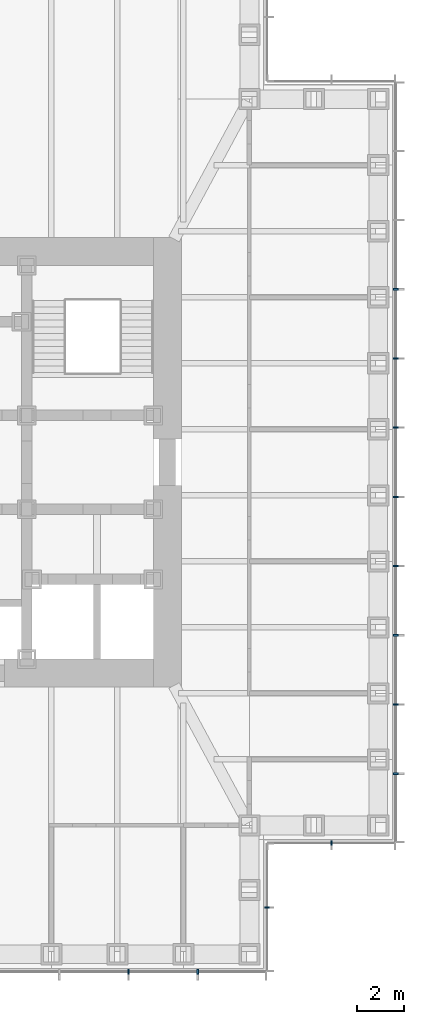
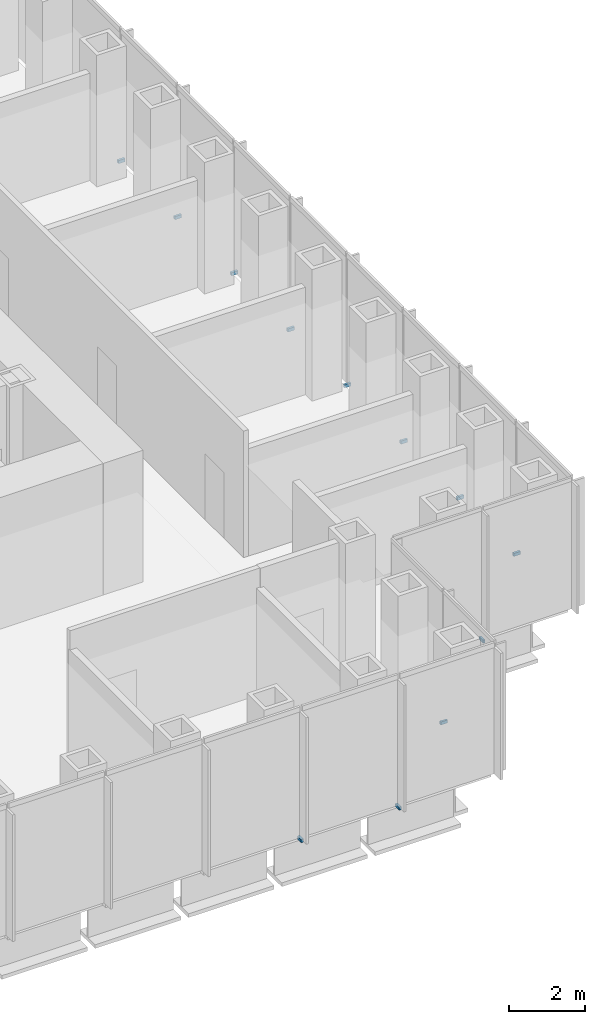
# One storey, part 13 of 16: 12 discrete accessories.
"""IFC4 building model written with IfcOpenShell, lengths in metres."""

from ifc_helpers import new_model, si_unit, direction, frame, origin, origin_2d, place, context, subcontext, project, spatial, rectangle, extrude, element, save


model = new_model("IFC4")

# Units and contexts
model_context = context("Model", 3, precision=1e-05, world=origin(), true_north=direction((0.0, 1.0)))
body_context = subcontext(model_context, "Body", "Model", "MODEL_VIEW")
ifc_project = project(units=[si_unit("LENGTHUNIT", "METRE"), si_unit("AREAUNIT", "SQUARE_METRE"), si_unit("VOLUMEUNIT", "CUBIC_METRE"), si_unit("PLANEANGLEUNIT", "RADIAN"), si_unit("MASSUNIT", "GRAM", prefix="KILO")], contexts=[model_context])

# Site, building, storey
site_placement = place(None, origin())
site = spatial("IfcSite", under=ifc_project, at=site_placement, CompositionType="ELEMENT")
building_placement = place(site_placement, origin())
building = spatial("IfcBuilding", under=site, at=building_placement, Name="Daluyong Arena Tower", CompositionType="ELEMENT")
storey_placement = place(building_placement, frame((0.0, 0.0, 202.300048828125)))
storey = spatial("IfcBuildingStorey", under=building, at=storey_placement, Name="L45", CompositionType="ELEMENT", Elevation=202.300048828125)

# Discrete accessories
for number, where, z_axis, x_axis, name in (
    (1, (66.3408203125, 58.25, -0.10009765625), (0.0, 0.0, 1.0), (1.0, 0.0, 0.0), "curtain wall L45 S anchor bracket 10"),
    (2, (69.29541015625, 58.25, -0.10009765625), (0.0, 0.0, 1.0), (1.0, 0.0, 0.0), "curtain wall L45 S anchor bracket 11"),
):
    element("IfcDiscreteAccessory", number, at=place(storey_placement, frame(where, z_axis=z_axis, x_axis=x_axis)), inside=storey, Name=name, PredefinedType="BRACKET", context=body_context, shape_type="SweptSolid", body=[
        extrude(rectangle(XDim=0.070068359375, YDim=0.199951171875, at=origin_2d()), origin(), (0.0, 0.0, 1.0), 0.10009765625),
    ])
for number, where, z_axis, x_axis, name in (
    (3, (72.25, 61.0, -0.10009765625), (0.0, 0.0, 1.0), (0.0, 1.0, 0.0), "curtain wall L45 SE-E anchor bracket 2"),
    (4, (75.0, 63.75, -0.10009765625), (0.0, 0.0, 1.0), (1.0, 0.0, 0.0), "curtain wall L45 SE-S anchor bracket 2"),
):
    element("IfcDiscreteAccessory", number, at=place(storey_placement, frame(where, z_axis=z_axis, x_axis=x_axis)), inside=storey, Name=name, PredefinedType="BRACKET", context=body_context, shape_type="SweptSolid", body=[
        extrude(rectangle(XDim=0.06005859375, YDim=0.199951171875, at=origin_2d()), origin(), (0.0, 0.0, 1.0), 0.10009765625),
    ])
for number, where, z_axis, x_axis, name in (
    (5, (77.75, 66.70458984375, -0.10009765625), (0.0, 0.0, 1.0), (0.0, 1.0, 0.0), "curtain wall L45 E anchor bracket 2"),
    (6, (77.75, 69.6591796875, -0.10009765625), (0.0, 0.0, 1.0), (0.0, 1.0, 0.0), "curtain wall L45 E anchor bracket 3"),
    (7, (77.75, 72.613525390625, -0.10009765625), (0.0, 0.0, 1.0), (0.0, 1.0, 0.0), "curtain wall L45 E anchor bracket 4"),
    (8, (77.75, 75.568115234375, -0.10009765625), (0.0, 0.0, 1.0), (0.0, 1.0, 0.0), "curtain wall L45 E anchor bracket 5"),
    (9, (77.75, 78.522705078125, -0.10009765625), (0.0, 0.0, 1.0), (0.0, 1.0, 0.0), "curtain wall L45 E anchor bracket 6"),
    (10, (77.75, 81.477294921875, -0.10009765625), (0.0, 0.0, 1.0), (0.0, 1.0, 0.0), "curtain wall L45 E anchor bracket 7"),
    (11, (77.75, 84.431884765625, -0.10009765625), (0.0, 0.0, 1.0), (0.0, 1.0, 0.0), "curtain wall L45 E anchor bracket 8"),
    (12, (77.75, 87.386474609375, -0.10009765625), (0.0, 0.0, 1.0), (0.0, 1.0, 0.0), "curtain wall L45 E anchor bracket 9"),
):
    element("IfcDiscreteAccessory", number, at=place(storey_placement, frame(where, z_axis=z_axis, x_axis=x_axis)), inside=storey, Name=name, PredefinedType="BRACKET", context=body_context, shape_type="SweptSolid", body=[
        extrude(rectangle(XDim=0.070068359375, YDim=0.199951171875, at=origin_2d()), origin(), (0.0, 0.0, 1.0), 0.10009765625),
    ])

save(model, "model.ifc")
